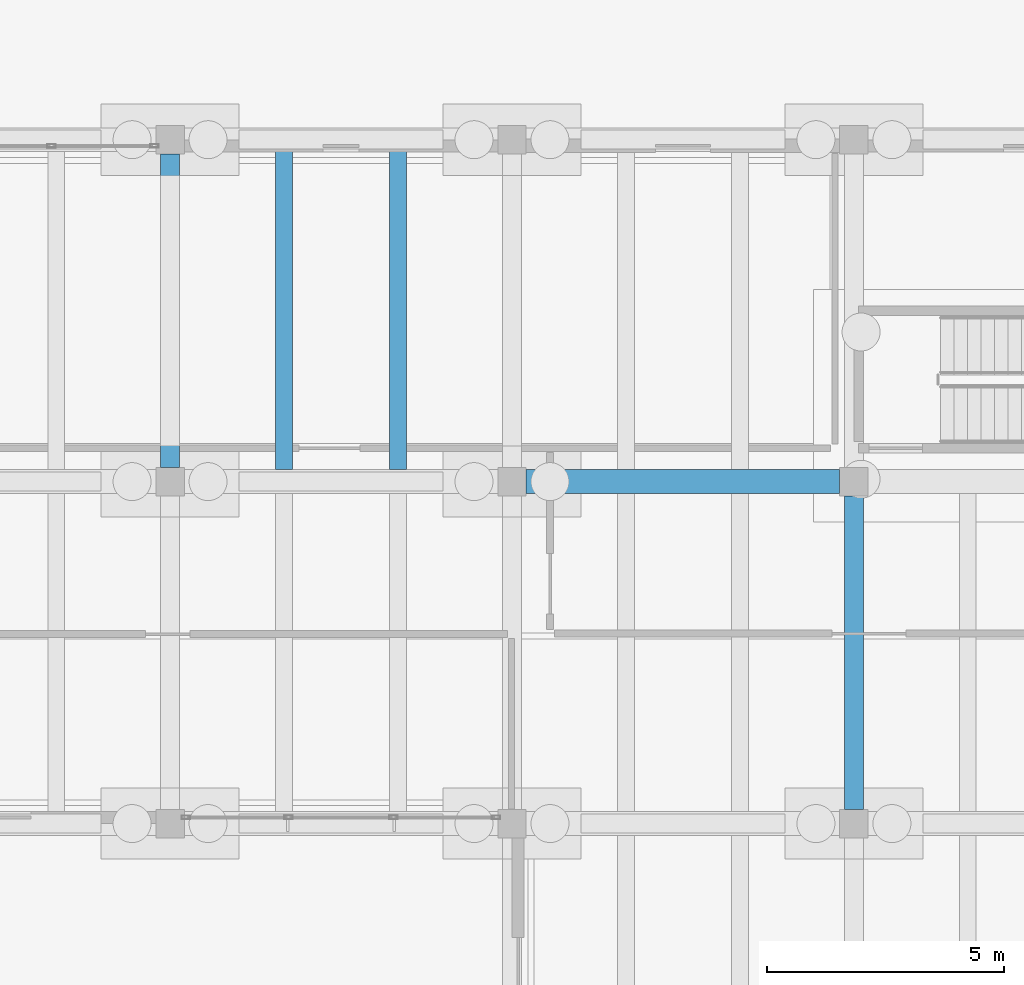
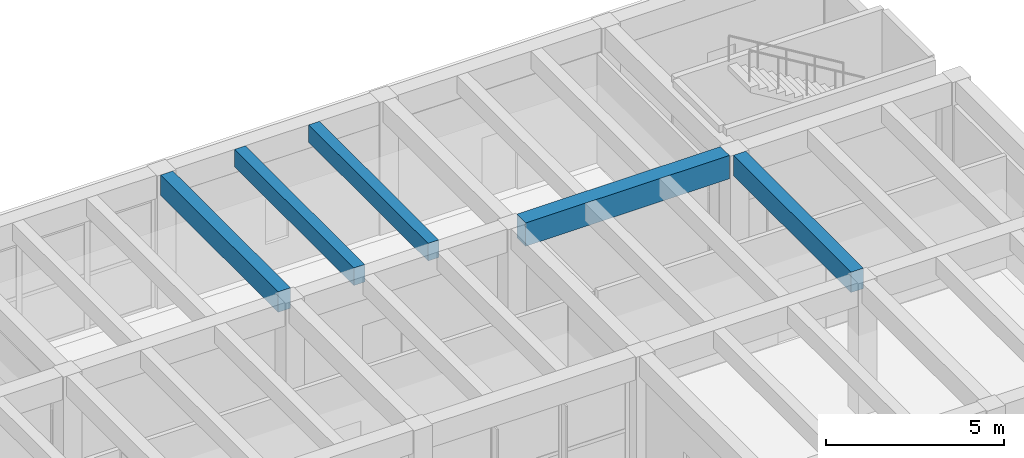
# One storey, part 104 of 155: 5 beams.
"""IFC4 building model written with IfcOpenShell, lengths in metres."""

from ifc_helpers import new_model, si_unit, direction, frame, origin, origin_2d, place, context, subcontext, project, spatial, rectangle, extrude, material, material_profile, profile_set, type_object, element, save


model = new_model("IFC4")

# Units and contexts
model_context = context("Model", 3, precision=1e-05, world=origin(), true_north=direction((0.0, 1.0)))
body_context = subcontext(model_context, "Body", "Model", "MODEL_VIEW")
ifc_project = project(units=[si_unit("LENGTHUNIT", "METRE"), si_unit("AREAUNIT", "SQUARE_METRE"), si_unit("VOLUMEUNIT", "CUBIC_METRE"), si_unit("PLANEANGLEUNIT", "RADIAN"), si_unit("MASSUNIT", "GRAM", prefix="KILO")], contexts=[model_context])

# Site, building, storey
site_placement = place(None, origin())
site = spatial("IfcSite", under=ifc_project, at=site_placement, CompositionType="ELEMENT")
building_placement = place(site_placement, origin())
building = spatial("IfcBuilding", under=site, at=building_placement, Name="Bramvelor Terrace Health Centre", CompositionType="ELEMENT")
storey_placement = place(building_placement, origin())
storey = spatial("IfcBuildingStorey", under=building, at=storey_placement, Name="L01", CompositionType="ELEMENT", Elevation=0.0)

# Beams
ifc_material_1 = material(Name="Concrete C40/50", Category="concrete")
ifc_material_profile_1 = material_profile(ifc_material_1, rectangle(XDim=0.39990234375, YDim=0.699951171875, at=origin_2d()), Name="RC 400x700")
ifc_profile_set_1 = profile_set([ifc_material_profile_1], Name="Concrete C40/50")
beam_type_1 = type_object("IfcBeamType", Name="BM-RC-G700", PredefinedType="BEAM", material=ifc_profile_set_1)
for number, where, z_axis, x_axis, name in (
    (1, (144.0, 57.89990234375, 4.2099609375), (0.0, 1.0, 0.0), (-1.0, 0.0, 0.0), "L01 Floor Girder"),
    (2, (158.39990234375, 50.699951171875, 4.2099609375), (0.0, 1.0, 0.0), (-1.0, 0.0, 0.0), "L01 Floor Girder"),
):
    element("IfcBeam", number, at=place(storey_placement, frame(where, z_axis=z_axis, x_axis=x_axis)), inside=storey, type_object=beam_type_1, Name=name, PredefinedType="BEAM", context=body_context, shape_type="SweptSolid", body=[
        extrude(rectangle(XDim=0.39990234375, YDim=0.699951171875, at=origin_2d()), origin(), (0.0, 0.0, 1.0), 6.60009765625),
    ])
ifc_material_2 = material(Name="Concrete C40/50", Category="concrete")
ifc_material_profile_2 = material_profile(ifc_material_2, rectangle(XDim=0.5, YDim=0.800048828125, at=origin_2d()), Name="RC 500x800")
ifc_profile_set_2 = profile_set([ifc_material_profile_2], Name="Concrete C40/50")
beam_type_2 = type_object("IfcBeamType", Name="BM-RC-G800", PredefinedType="BEAM", material=ifc_profile_set_2)
beam_placement = place(storey_placement, frame((151.5, 57.60009765625, 4.159912109375), z_axis=(1.0, 0.0, 0.0), x_axis=(0.0, 1.0, 0.0)))
element("IfcBeam", 3, at=beam_placement, inside=storey, type_object=beam_type_2, Name="L01 Floor Girder", PredefinedType="BEAM", context=body_context, shape_type="SweptSolid", body=[
    extrude(rectangle(XDim=0.5, YDim=0.800048828125, at=origin_2d()), origin(), (0.0, 0.0, 1.0), 6.60009765625),
])
ifc_material_3 = material(Name="Concrete C40/50", Category="concrete")
ifc_material_profile_3 = material_profile(ifc_material_3, rectangle(XDim=0.35009765625, YDim=0.60009765625, at=origin_2d()), Name="RC 350x600")
ifc_profile_set_3 = profile_set([ifc_material_profile_3], Name="Concrete C40/50")
beam_type_3 = type_object("IfcBeamType", Name="BM-RC-J600", PredefinedType="JOIST", material=ifc_profile_set_3)
for number, where, z_axis, x_axis, name in (
    (4, (146.39990234375, 57.85009765625, 4.260009765625), (0.0, 1.0, 0.0), (-1.0, 0.0, 0.0), "L01 Secondary Floor Joist"),
    (5, (148.800048828125, 57.85009765625, 4.260009765625), (0.0, 1.0, 0.0), (-1.0, 0.0, 0.0), "L01 Secondary Floor Joist"),
):
    element("IfcBeam", number, at=place(storey_placement, frame(where, z_axis=z_axis, x_axis=x_axis)), inside=storey, type_object=beam_type_3, Name=name, PredefinedType="JOIST", context=body_context, shape_type="SweptSolid", body=[
        extrude(rectangle(XDim=0.35009765625, YDim=0.60009765625, at=origin_2d()), origin(), (0.0, 0.0, 1.0), 6.699951171875),
    ])

save(model, "model.ifc")
